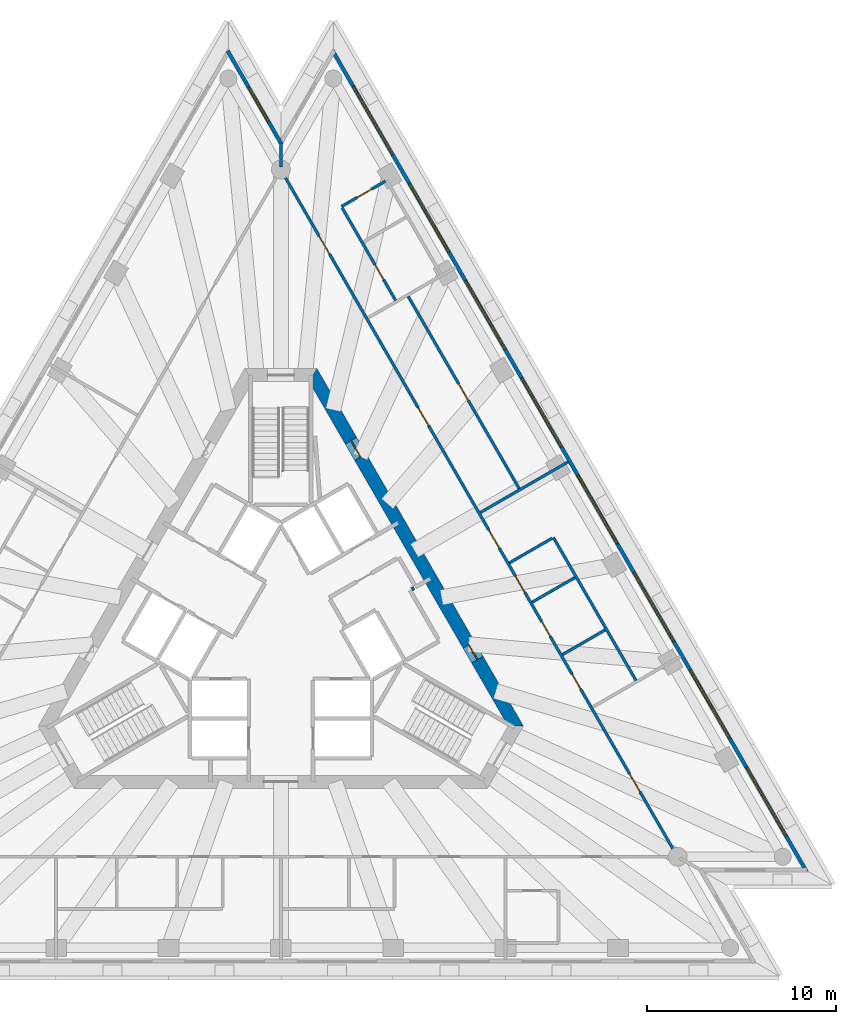
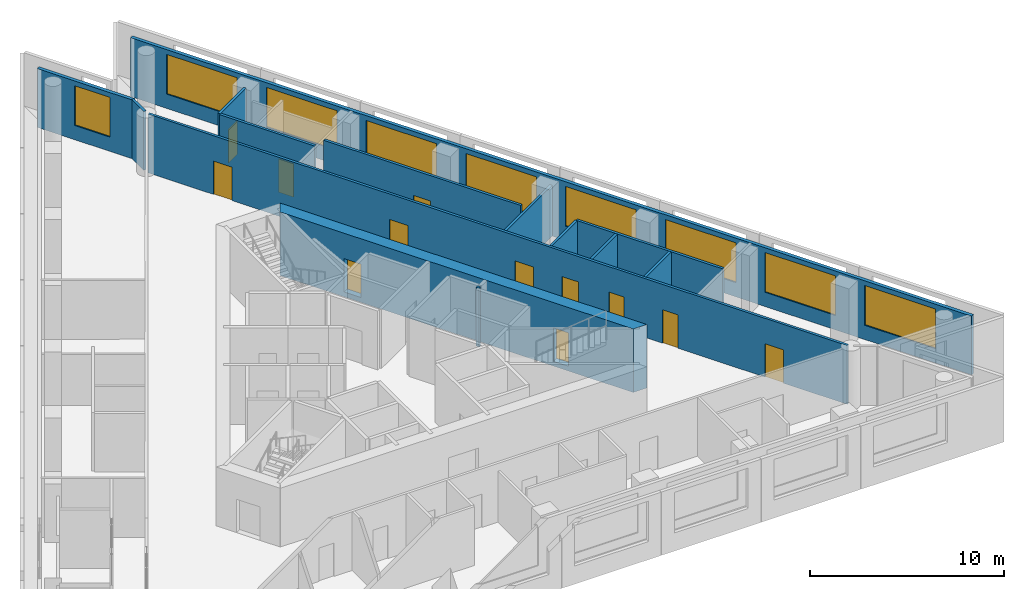
# One storey, part 6 of 9: 14 walls, 12 doors, 9 windows, 21 openings.
"""IFC4 building model written with IfcOpenShell, lengths in metres."""

from ifc_helpers import new_model, si_unit, direction, frame, frame_2d, origin, place, context, subcontext, project, spatial, polyline, rectangle, outline, extrude, material, layer, layer_set, layer_usage, type_object, element, fill, save


model = new_model("IFC4")

# Units and contexts
model_context = context("Model", 3, precision=1e-05, world=origin(), true_north=direction((0.0, 1.0)))
body_context = subcontext(model_context, "Body", "Model", "MODEL_VIEW")
ifc_project = project(units=[si_unit("LENGTHUNIT", "METRE"), si_unit("AREAUNIT", "SQUARE_METRE"), si_unit("VOLUMEUNIT", "CUBIC_METRE"), si_unit("PLANEANGLEUNIT", "RADIAN"), si_unit("MASSUNIT", "GRAM", prefix="KILO")], contexts=[model_context])

# Site, building, storey
site_placement = place(None, origin())
site = spatial("IfcSite", under=ifc_project, at=site_placement, CompositionType="ELEMENT")
building_placement = place(site_placement, origin())
building = spatial("IfcBuilding", under=site, at=building_placement, Name="Triada Interchange Tower", CompositionType="ELEMENT")
storey_placement = place(building_placement, frame((0.0, 0.0, 227.300048828125)))
storey = spatial("IfcBuildingStorey", under=building, at=storey_placement, Name="L53", CompositionType="ELEMENT", Elevation=227.300048828125)

# Wall
ifc_material_1 = material(Name="Concrete C30/37", Category="concrete")
ifc_layer_1 = layer(ifc_material_1, 0.199951171875)
ifc_layer_set_1 = layer_set([ifc_layer_1], Name="CORE WALL 200 EI 90")
wall_type_1 = type_object("IfcWallType", Name="CORE WALL 200 EI 90", PredefinedType="SOLIDWALL", material=ifc_layer_set_1)
wall_1_placement = place(storey_placement, frame((6.912109375, 2.028076171875, 0.0), z_axis=(0.0, 0.0, 1.0), x_axis=(0.866559367082, 0.499074005857, 0.0)))
element("IfcWall", 1, at=wall_1_placement, inside=storey, type_object=wall_type_1, Name="Wall L53 86", PredefinedType="SOLIDWALL", context=body_context, shape_type="SweptSolid", body=[
    extrude(rectangle(XDim=0.152099609375, YDim=0.199951171875, at=frame_2d((0.076171875, 0.0))), origin(), (0.0, 0.0, 1.0), 3.699951171875),
])

# Wall, openings, doors
ifc_material_2 = material(Name="Concrete C50/60", Category="concrete")
ifc_layer_2 = layer(ifc_material_2, 0.699951171875)
ifc_layer_set_2 = layer_set([ifc_layer_2], Name="Core wall C 700")
wall_type_2 = type_object("IfcWallType", Name="Core wall C 700", PredefinedType="SHEAR", material=ifc_layer_set_2)
wall_2_placement = place(storey_placement, frame((12.4130859375, -5.199951171875, -0.300048828125), z_axis=(0.0, 0.0, 1.0), x_axis=(-0.500011533395, 0.866018744874, 0.0)))
wall_2 = element("IfcWall", 2, at=wall_2_placement, inside=storey, type_object=wall_type_2, Name="Core wall WC06 L53", PredefinedType="SHEAR", context=body_context, shape_type="SweptSolid", body=[
    extrude(outline(polyline([(-0.201904296875, -0.35009765625), (1.781982421875, -0.35009765625), (3.76611328125, -0.35009765625), (5.75, -0.35009765625), (7.734130859375, -0.35009765625), (9.718017578125, -0.35009765625), (11.7021484375, -0.35009765625), (13.68603515625, -0.35009765625), (15.670166015625, -0.35009765625), (17.654052734375, -0.35009765625), (19.63818359375, -0.35009765625), (21.6220703125, -0.35009765625), (21.218017578125, 0.35009765625), (19.307373046875, 0.35009765625), (17.39697265625, 0.35009765625), (15.486328125, 0.35009765625), (13.57568359375, 0.35009765625), (11.665283203125, 0.35009765625), (9.754638671875, 0.35009765625), (7.84423828125, 0.35009765625), (5.93359375, 0.35009765625), (4.02294921875, 0.35009765625), (2.112548828125, 0.35009765625), (0.201904296875, 0.35009765625), (-0.201904296875, -0.35009765625)])), origin(), (0.0, 0.0, 1.0), 4.0),
])
opening_1_placement = place(wall_2_placement, frame((4.054931640625, 0.0, 0.300048828125)))
opening_1 = element("IfcOpeningElement", 3, at=opening_1_placement, cuts=wall_2, Name="Opening D53-45", PredefinedType="OPENING", context=body_context, shape_type="SweptSolid", body=[
    extrude(rectangle(XDim=0.89990234375, YDim=2.10009765625, at=frame_2d((0.449951171875, 1.050048828125))), frame((0.0, 0.360107421875, 0.0), z_axis=(0.0, -1.0, 0.0), x_axis=(1.0, 0.0, 0.0)), (0.0, 0.0, 1.0), 0.72021484375),
])
opening_2_placement = place(wall_2_placement, frame((16.4150390625, 0.0, 0.300048828125)))
opening_2 = element("IfcOpeningElement", 4, at=opening_2_placement, cuts=wall_2, Name="Opening D53-47", PredefinedType="OPENING", context=body_context, shape_type="SweptSolid", body=[
    extrude(rectangle(XDim=1.0, YDim=2.10009765625, at=frame_2d((0.5, 1.050048828125))), frame((0.0, 0.360107421875, 0.0), z_axis=(0.0, -1.0, 0.0), x_axis=(1.0, 0.0, 0.0)), (0.0, 0.0, 1.0), 0.72021484375),
])
ifc_material_3 = material(Name="Steel S235 door leaf", Category="steel")
door_type_1 = type_object("IfcDoorType", Name="SERVICE DOOR 1000 EI2 45-C5S200", OperationType="NOTDEFINED", PredefinedType="DOOR", material=ifc_material_3)
door_1_placement = place(opening_2_placement, origin())
door_1 = element("IfcDoor", 5, at=door_1_placement, inside=storey, type_object=door_type_1, Name="Door D53-47 L53", OperationType="SINGLE_SWING_RIGHT", OverallHeight=2.10009765625, OverallWidth=1.0, PredefinedType="DOOR", context=body_context, shape_type="SweptSolid", body=[
    extrude(rectangle(XDim=1.0, YDim=2.10009765625, at=frame_2d((0.5, 1.050048828125))), frame((0.0, 0.02490234375, 0.0), z_axis=(0.0, -1.0, 0.0), x_axis=(1.0, 0.0, 0.0)), (0.0, 0.0, 1.0), 0.050048828125),
])
fill(opening_2, door_1)
door_type_2 = type_object("IfcDoorType", Name="SERVICE DOOR 900 EI2 45-C5S200", OperationType="NOTDEFINED", PredefinedType="DOOR", material=ifc_material_3)
door_2_placement = place(opening_1_placement, origin())
door_2 = element("IfcDoor", 6, at=door_2_placement, inside=storey, type_object=door_type_2, Name="Door D53-45 L53", OperationType="SINGLE_SWING_RIGHT", OverallHeight=2.10009765625, OverallWidth=0.89990234375, PredefinedType="DOOR", context=body_context, shape_type="SweptSolid", body=[
    extrude(rectangle(XDim=0.89990234375, YDim=2.10009765625, at=frame_2d((0.449951171875, 1.050048828125))), frame((0.0, 0.02490234375, 0.0), z_axis=(0.0, -1.0, 0.0), x_axis=(1.0, 0.0, 0.0)), (0.0, 0.0, 1.0), 0.050048828125),
])
fill(opening_1, door_2)

# Wall, openings, windows
ifc_material_4 = material(Name="Cement board")
ifc_layer_3 = layer(ifc_material_4, 0.02001953125, Name="Cement board cladding")
ifc_material_5 = material(Name="Sheathing board")
ifc_layer_4 = layer(ifc_material_5, 0.014892578125, Name="Sheathing board")
ifc_material_6 = material(Name="Mineral wool")
ifc_layer_5 = layer(ifc_material_6, 0.14990234375, Name="Mineral wool between steel studs")
ifc_material_7 = material(Name="Gypsum board")
ifc_layer_6 = layer(ifc_material_7, 0.014892578125, Name="Plasterboard lining")
ifc_layer_set_3 = layer_set([ifc_layer_3, ifc_layer_4, ifc_layer_5, ifc_layer_6], Name="External wall 200")
ifc_layer_usage = layer_usage(ifc_layer_set_3, "AXIS2", "POSITIVE", -0.10009765625)
wall_type_3 = type_object("IfcWallType", Name="External wall 200", PredefinedType="ELEMENTEDWALL", material=ifc_layer_set_3)
wall_3_placement = place(storey_placement, frame((27.781982421875, -12.884033203125, 0.0), z_axis=(0.0, 0.0, 1.0), x_axis=(-0.500023345841, 0.866011924637, 0.0)))
wall_3 = element("IfcWall", 7, at=wall_3_placement, inside=storey, type_object=wall_type_3, material=ifc_layer_usage, Name="External wall L53 NE", PredefinedType="ELEMENTEDWALL", context=body_context, shape_type="SweptSolid", body=[
    extrude(rectangle(XDim=50.07763671875, YDim=0.199951171875, at=frame_2d((25.038818359375, 0.0))), origin(), (0.0, 0.0, 1.0), 3.699951171875),
])
opening_3_placement = place(wall_3_placement, frame((2.1708984375, 0.0, 0.89990234375)))
opening_3 = element("IfcOpeningElement", 8, at=opening_3_placement, cuts=wall_3, Name="Opening WC21", PredefinedType="OPENING", context=body_context, shape_type="SweptSolid", body=[
    extrude(rectangle(XDim=4.199951171875, YDim=2.5, at=frame_2d((2.10009765625, 1.25))), frame((0.0, 0.10986328125, 0.0), z_axis=(0.0, -1.0, 0.0), x_axis=(1.0, 0.0, 0.0)), (0.0, 0.0, 1.0), 0.219970703125),
])
opening_4_placement = place(wall_3_placement, frame((8.10791015625, 0.0, 0.89990234375)))
opening_4 = element("IfcOpeningElement", 9, at=opening_4_placement, cuts=wall_3, Name="Opening WC22", PredefinedType="OPENING", context=body_context, shape_type="SweptSolid", body=[
    extrude(rectangle(XDim=4.199951171875, YDim=2.5, at=frame_2d((2.10009765625, 1.25))), frame((0.0, 0.10986328125, 0.0), z_axis=(0.0, -1.0, 0.0), x_axis=(1.0, 0.0, 0.0)), (0.0, 0.0, 1.0), 0.219970703125),
])
opening_5_placement = place(wall_3_placement, frame((14.0439453125, 0.0, 0.89990234375)))
opening_5 = element("IfcOpeningElement", 10, at=opening_5_placement, cuts=wall_3, Name="Opening WC23", PredefinedType="OPENING", context=body_context, shape_type="SweptSolid", body=[
    extrude(rectangle(XDim=4.199951171875, YDim=2.5, at=frame_2d((2.10009765625, 1.25))), frame((0.0, 0.10986328125, 0.0), z_axis=(0.0, -1.0, 0.0), x_axis=(1.0, 0.0, 0.0)), (0.0, 0.0, 1.0), 0.219970703125),
])
opening_6_placement = place(wall_3_placement, frame((19.98095703125, 0.0, 0.89990234375)))
opening_6 = element("IfcOpeningElement", 11, at=opening_6_placement, cuts=wall_3, Name="Opening WC24", PredefinedType="OPENING", context=body_context, shape_type="SweptSolid", body=[
    extrude(rectangle(XDim=4.199951171875, YDim=2.5, at=frame_2d((2.10009765625, 1.25))), frame((0.0, 0.10986328125, 0.0), z_axis=(0.0, -1.0, 0.0), x_axis=(1.0, 0.0, 0.0)), (0.0, 0.0, 1.0), 0.219970703125),
])
opening_7_placement = place(wall_3_placement, frame((25.9169921875, 0.0, 0.89990234375)))
opening_7 = element("IfcOpeningElement", 12, at=opening_7_placement, cuts=wall_3, Name="Opening WC25", PredefinedType="OPENING", context=body_context, shape_type="SweptSolid", body=[
    extrude(rectangle(XDim=4.199951171875, YDim=2.5, at=frame_2d((2.10009765625, 1.25))), frame((0.0, 0.10986328125, 0.0), z_axis=(0.0, -1.0, 0.0), x_axis=(1.0, 0.0, 0.0)), (0.0, 0.0, 1.0), 0.219970703125),
])
opening_8_placement = place(wall_3_placement, frame((31.85400390625, 0.0, 0.89990234375)))
opening_8 = element("IfcOpeningElement", 13, at=opening_8_placement, cuts=wall_3, Name="Opening WC26", PredefinedType="OPENING", context=body_context, shape_type="SweptSolid", body=[
    extrude(rectangle(XDim=4.199951171875, YDim=2.5, at=frame_2d((2.10009765625, 1.25))), frame((0.0, 0.10986328125, 0.0), z_axis=(0.0, -1.0, 0.0), x_axis=(1.0, 0.0, 0.0)), (0.0, 0.0, 1.0), 0.219970703125),
])
opening_9_placement = place(wall_3_placement, frame((37.7900390625, 0.0, 0.89990234375)))
opening_9 = element("IfcOpeningElement", 14, at=opening_9_placement, cuts=wall_3, Name="Opening WC27", PredefinedType="OPENING", context=body_context, shape_type="SweptSolid", body=[
    extrude(rectangle(XDim=4.199951171875, YDim=2.5, at=frame_2d((2.10009765625, 1.25))), frame((0.0, 0.10986328125, 0.0), z_axis=(0.0, -1.0, 0.0), x_axis=(1.0, 0.0, 0.0)), (0.0, 0.0, 1.0), 0.219970703125),
])
opening_10_placement = place(wall_3_placement, frame((43.72705078125, 0.0, 0.89990234375)))
opening_10 = element("IfcOpeningElement", 15, at=opening_10_placement, cuts=wall_3, Name="Opening WC28", PredefinedType="OPENING", context=body_context, shape_type="SweptSolid", body=[
    extrude(rectangle(XDim=4.199951171875, YDim=2.5, at=frame_2d((2.10009765625, 1.25))), frame((0.0, 0.10986328125, 0.0), z_axis=(0.0, -1.0, 0.0), x_axis=(1.0, 0.0, 0.0)), (0.0, 0.0, 1.0), 0.219970703125),
])
ifc_material_8 = material(Name="Double glazed aluminium window", Category="aluminium")
window_type_1 = type_object("IfcWindowType", Name="Ribbon window C face", PartitioningType="SINGLE_PANEL", PredefinedType="WINDOW", material=ifc_material_8)
window_1_placement = place(opening_3_placement, origin())
window_1 = element("IfcWindow", 16, at=window_1_placement, inside=storey, type_object=window_type_1, Name="Window L53 NE 1", OverallHeight=2.5, OverallWidth=4.199951171875, PartitioningType="SINGLE_PANEL", PredefinedType="WINDOW", context=body_context, shape_type="SweptSolid", body=[
    extrude(rectangle(XDim=4.199951171875, YDim=2.5, at=frame_2d((2.10009765625, 1.25))), frame((0.0, 0.030029296875, 0.0), z_axis=(0.0, -1.0, 0.0), x_axis=(1.0, 0.0, 0.0)), (0.0, 0.0, 1.0), 0.06005859375),
])
fill(opening_3, window_1)
window_2_placement = place(opening_4_placement, origin())
window_2 = element("IfcWindow", 17, at=window_2_placement, inside=storey, type_object=window_type_1, Name="Window L53 NE 2", OverallHeight=2.5, OverallWidth=4.199951171875, PartitioningType="SINGLE_PANEL", PredefinedType="WINDOW", context=body_context, shape_type="SweptSolid", body=[
    extrude(rectangle(XDim=4.199951171875, YDim=2.5, at=frame_2d((2.10009765625, 1.25))), frame((0.0, 0.030029296875, 0.0), z_axis=(0.0, -1.0, 0.0), x_axis=(1.0, 0.0, 0.0)), (0.0, 0.0, 1.0), 0.06005859375),
])
fill(opening_4, window_2)
window_3_placement = place(opening_5_placement, origin())
window_3 = element("IfcWindow", 18, at=window_3_placement, inside=storey, type_object=window_type_1, Name="Window L53 NE 3", OverallHeight=2.5, OverallWidth=4.199951171875, PartitioningType="SINGLE_PANEL", PredefinedType="WINDOW", context=body_context, shape_type="SweptSolid", body=[
    extrude(rectangle(XDim=4.199951171875, YDim=2.5, at=frame_2d((2.10009765625, 1.25))), frame((0.0, 0.030029296875, 0.0), z_axis=(0.0, -1.0, 0.0), x_axis=(1.0, 0.0, 0.0)), (0.0, 0.0, 1.0), 0.06005859375),
])
fill(opening_5, window_3)
window_4_placement = place(opening_6_placement, origin())
window_4 = element("IfcWindow", 19, at=window_4_placement, inside=storey, type_object=window_type_1, Name="Window L53 NE 4", OverallHeight=2.5, OverallWidth=4.199951171875, PartitioningType="SINGLE_PANEL", PredefinedType="WINDOW", context=body_context, shape_type="SweptSolid", body=[
    extrude(rectangle(XDim=4.199951171875, YDim=2.5, at=frame_2d((2.10009765625, 1.25))), frame((0.0, 0.030029296875, 0.0), z_axis=(0.0, -1.0, 0.0), x_axis=(1.0, 0.0, 0.0)), (0.0, 0.0, 1.0), 0.06005859375),
])
fill(opening_6, window_4)
window_5_placement = place(opening_7_placement, origin())
window_5 = element("IfcWindow", 20, at=window_5_placement, inside=storey, type_object=window_type_1, Name="Window L53 NE 5", OverallHeight=2.5, OverallWidth=4.199951171875, PartitioningType="SINGLE_PANEL", PredefinedType="WINDOW", context=body_context, shape_type="SweptSolid", body=[
    extrude(rectangle(XDim=4.199951171875, YDim=2.5, at=frame_2d((2.10009765625, 1.25))), frame((0.0, 0.030029296875, 0.0), z_axis=(0.0, -1.0, 0.0), x_axis=(1.0, 0.0, 0.0)), (0.0, 0.0, 1.0), 0.06005859375),
])
fill(opening_7, window_5)
window_6_placement = place(opening_8_placement, origin())
window_6 = element("IfcWindow", 21, at=window_6_placement, inside=storey, type_object=window_type_1, Name="Window L53 NE 6", OverallHeight=2.5, OverallWidth=4.199951171875, PartitioningType="SINGLE_PANEL", PredefinedType="WINDOW", context=body_context, shape_type="SweptSolid", body=[
    extrude(rectangle(XDim=4.199951171875, YDim=2.5, at=frame_2d((2.10009765625, 1.25))), frame((0.0, 0.030029296875, 0.0), z_axis=(0.0, -1.0, 0.0), x_axis=(1.0, 0.0, 0.0)), (0.0, 0.0, 1.0), 0.06005859375),
])
fill(opening_8, window_6)
window_7_placement = place(opening_9_placement, origin())
window_7 = element("IfcWindow", 22, at=window_7_placement, inside=storey, type_object=window_type_1, Name="Window L53 NE 7", OverallHeight=2.5, OverallWidth=4.199951171875, PartitioningType="SINGLE_PANEL", PredefinedType="WINDOW", context=body_context, shape_type="SweptSolid", body=[
    extrude(rectangle(XDim=4.199951171875, YDim=2.5, at=frame_2d((2.10009765625, 1.25))), frame((0.0, 0.030029296875, 0.0), z_axis=(0.0, -1.0, 0.0), x_axis=(1.0, 0.0, 0.0)), (0.0, 0.0, 1.0), 0.06005859375),
])
fill(opening_9, window_7)
window_8_placement = place(opening_10_placement, origin())
window_8 = element("IfcWindow", 23, at=window_8_placement, inside=storey, type_object=window_type_1, Name="Window L53 NE 8", OverallHeight=2.5, OverallWidth=4.199951171875, PartitioningType="SINGLE_PANEL", PredefinedType="WINDOW", context=body_context, shape_type="SweptSolid", body=[
    extrude(rectangle(XDim=4.199951171875, YDim=2.5, at=frame_2d((2.10009765625, 1.25))), frame((0.0, 0.030029296875, 0.0), z_axis=(0.0, -1.0, 0.0), x_axis=(1.0, 0.0, 0.0)), (0.0, 0.0, 1.0), 0.06005859375),
])
fill(opening_10, window_8)

# Wall, opening, window
wall_4_placement = place(storey_placement, frame((0.044921875, 25.534912109375, 0.0), z_axis=(0.0, 0.0, 1.0), x_axis=(-0.49995298266, 0.866052547557, 0.0)))
wall_4 = element("IfcWall", 24, at=wall_4_placement, inside=storey, type_object=wall_type_3, material=ifc_layer_usage, Name="External wall L53 N-2", PredefinedType="ELEMENTEDWALL", context=body_context, shape_type="SweptSolid", body=[
    extrude(rectangle(XDim=5.71435546875, YDim=0.199951171875, at=frame_2d((2.857177734375, 0.0))), origin(), (0.0, 0.0, 1.0), 3.699951171875),
])
opening_11_placement = place(wall_4_placement, frame((1.389892578125, 0.0, 0.89990234375)))
opening_11 = element("IfcOpeningElement", 25, at=opening_11_placement, cuts=wall_4, Name="Opening WC30", PredefinedType="OPENING", context=body_context, shape_type="SweptSolid", body=[
    extrude(rectangle(XDim=2.10009765625, YDim=2.5, at=frame_2d((1.050048828125, 1.25))), frame((0.0, 0.10986328125, 0.0), z_axis=(0.0, -1.0, 0.0), x_axis=(1.0, 0.0, 0.0)), (0.0, 0.0, 1.0), 0.219970703125),
])
window_type_2 = type_object("IfcWindowType", Name="Ribbon window C pocket", PartitioningType="SINGLE_PANEL", PredefinedType="WINDOW", material=ifc_material_8)
window_9_placement = place(opening_11_placement, origin())
window_9 = element("IfcWindow", 26, at=window_9_placement, inside=storey, type_object=window_type_2, Name="Window L53 N-2 1", OverallHeight=2.5, OverallWidth=2.10009765625, PartitioningType="SINGLE_PANEL", PredefinedType="WINDOW", context=body_context, shape_type="SweptSolid", body=[
    extrude(rectangle(XDim=2.10009765625, YDim=2.5, at=frame_2d((1.050048828125, 1.25))), frame((0.0, 0.030029296875, 0.0), z_axis=(0.0, -1.0, 0.0), x_axis=(1.0, 0.0, 0.0)), (0.0, 0.0, 1.0), 0.06005859375),
])
fill(opening_11, window_9)

# Walls
ifc_material_9 = material(Name="Gypsum board partition")
ifc_layer_7 = layer(ifc_material_9, 0.14990234375)
ifc_layer_set_4 = layer_set([ifc_layer_7], Name="PARTITION 150 EI 180")
wall_type_4 = type_object("IfcWallType", Name="PARTITION 150 EI 180", PredefinedType="PARTITIONING", material=ifc_layer_set_4)
wall_5_placement = place(storey_placement, frame((10.5439453125, 6.0869140625, 0.0), z_axis=(0.0, 0.0, 1.0), x_axis=(0.866032438121, 0.499987815973, 0.0)))
element("IfcWall", 27, at=wall_5_placement, inside=storey, type_object=wall_type_4, Name="Wall L53 2", PredefinedType="PARTITIONING", context=body_context, shape_type="SweptSolid", body=[
    extrude(rectangle(XDim=5.362548828125, YDim=0.14990234375, at=frame_2d((2.68115234375, 0.0))), origin(), (0.0, 0.0, 1.0), 3.199951171875),
])
wall_6_placement = place(storey_placement, frame((0.0, 24.35009765625, 0.0), z_axis=(0.0, 0.0, 1.0), x_axis=(0.0, 1.0, 0.0)))
element("IfcWall", 28, at=wall_6_placement, inside=storey, type_object=wall_type_4, Name="Wall L53 19", PredefinedType="PARTITIONING", context=body_context, shape_type="SweptSolid", body=[
    extrude(rectangle(XDim=1.262939453125, YDim=0.14990234375, at=frame_2d((0.63134765625, 0.0))), origin(), (0.0, 0.0, 1.0), 3.699951171875),
])

# Wall, openings, doors
wall_7_placement = place(storey_placement, frame((0.074951171875, 24.070068359375, 0.0), z_axis=(0.0, 0.0, 1.0), x_axis=(0.49999939571, -0.866025752671, 0.0)))
wall_7 = element("IfcWall", 29, at=wall_7_placement, inside=storey, type_object=wall_type_4, Name="Wall L53 20", PredefinedType="PARTITIONING", context=body_context, shape_type="SweptSolid", body=[
    extrude(rectangle(XDim=41.6142578125, YDim=0.14990234375, at=frame_2d((20.80712890625, 0.0))), origin(), (0.0, 0.0, 1.0), 3.699951171875),
])
opening_12_placement = place(wall_7_placement, frame((36.714111328125, 0.0, 0.0)))
opening_12 = element("IfcOpeningElement", 30, at=opening_12_placement, cuts=wall_7, Name="Opening D53-21", PredefinedType="OPENING", context=body_context, shape_type="SweptSolid", body=[
    extrude(rectangle(XDim=1.10009765625, YDim=2.10009765625, at=frame_2d((0.550048828125, 1.050048828125))), frame((0.0, 0.0849609375, 0.0), z_axis=(0.0, -1.0, 0.0), x_axis=(1.0, 0.0, 0.0)), (0.0, 0.0, 1.0), 0.169921875),
])
opening_13_placement = place(wall_7_placement, frame((21.8310546875, 0.0, 0.0)))
opening_13 = element("IfcOpeningElement", 31, at=opening_13_placement, cuts=wall_7, Name="Opening D53-22", PredefinedType="OPENING", context=body_context, shape_type="SweptSolid", body=[
    extrude(rectangle(XDim=1.10009765625, YDim=2.10009765625, at=frame_2d((0.550048828125, 1.050048828125))), frame((0.0, 0.0849609375, 0.0), z_axis=(0.0, -1.0, 0.0), x_axis=(1.0, 0.0, 0.0)), (0.0, 0.0, 1.0), 0.169921875),
])
opening_14_placement = place(wall_7_placement, frame((30.631103515625, 0.0, 0.0)))
opening_14 = element("IfcOpeningElement", 32, at=opening_14_placement, cuts=wall_7, Name="Opening D53-23", PredefinedType="OPENING", context=body_context, shape_type="SweptSolid", body=[
    extrude(rectangle(XDim=0.89990234375, YDim=2.10009765625, at=frame_2d((0.449951171875, 1.050048828125))), frame((0.0, 0.0849609375, 0.0), z_axis=(0.0, -1.0, 0.0), x_axis=(1.0, 0.0, 0.0)), (0.0, 0.0, 1.0), 0.169921875),
])
opening_15_placement = place(wall_7_placement, frame((27.430908203125, 0.0, 0.0)))
opening_15 = element("IfcOpeningElement", 33, at=opening_15_placement, cuts=wall_7, Name="Opening D53-24", PredefinedType="OPENING", context=body_context, shape_type="SweptSolid", body=[
    extrude(rectangle(XDim=0.89990234375, YDim=2.10009765625, at=frame_2d((0.449951171875, 1.050048828125))), frame((0.0, 0.0849609375, 0.0), z_axis=(0.0, -1.0, 0.0), x_axis=(1.0, 0.0, 0.0)), (0.0, 0.0, 1.0), 0.169921875),
])
opening_16_placement = place(wall_7_placement, frame((24.631103515625, 0.0, 0.0)))
opening_16 = element("IfcOpeningElement", 34, at=opening_16_placement, cuts=wall_7, Name="Opening D53-25", PredefinedType="OPENING", context=body_context, shape_type="SweptSolid", body=[
    extrude(rectangle(XDim=1.0, YDim=2.10009765625, at=frame_2d((0.5, 1.050048828125))), frame((0.0, 0.0849609375, 0.0), z_axis=(0.0, -1.0, 0.0), x_axis=(1.0, 0.0, 0.0)), (0.0, 0.0, 1.0), 0.169921875),
])
opening_17_placement = place(wall_7_placement, frame((14.35791015625, 0.0, 0.0)))
opening_17 = element("IfcOpeningElement", 35, at=opening_17_placement, cuts=wall_7, Name="Opening D53-26", PredefinedType="OPENING", context=body_context, shape_type="SweptSolid", body=[
    extrude(rectangle(XDim=1.10009765625, YDim=2.10009765625, at=frame_2d((0.550048828125, 1.050048828125))), frame((0.0, 0.0849609375, 0.0), z_axis=(0.0, -1.0, 0.0), x_axis=(1.0, 0.0, 0.0)), (0.0, 0.0, 1.0), 0.169921875),
])
opening_18_placement = place(wall_7_placement, frame((3.885009765625, 0.0, 0.0)))
opening_18 = element("IfcOpeningElement", 36, at=opening_18_placement, cuts=wall_7, Name="Opening D53-28", PredefinedType="OPENING", context=body_context, shape_type="SweptSolid", body=[
    extrude(rectangle(XDim=1.10009765625, YDim=2.10009765625, at=frame_2d((0.550048828125, 1.050048828125))), frame((0.0, 0.0849609375, 0.0), z_axis=(0.0, -1.0, 0.0), x_axis=(1.0, 0.0, 0.0)), (0.0, 0.0, 1.0), 0.169921875),
])
door_type_3 = type_object("IfcDoorType", Name="ROOM DOOR 1000 EI2 90-C5S200", OperationType="NOTDEFINED", PredefinedType="DOOR", material=ifc_material_3)
door_3_placement = place(opening_16_placement, origin())
door_3 = element("IfcDoor", 37, at=door_3_placement, inside=storey, type_object=door_type_3, Name="Door D53-25 L53", OperationType="SINGLE_SWING_LEFT", OverallHeight=2.10009765625, OverallWidth=1.0, PredefinedType="DOOR", context=body_context, shape_type="SweptSolid", body=[
    extrude(rectangle(XDim=1.0, YDim=2.10009765625, at=frame_2d((0.5, 1.050048828125))), frame((0.0, 0.02490234375, 0.0), z_axis=(0.0, -1.0, 0.0), x_axis=(1.0, 0.0, 0.0)), (0.0, 0.0, 1.0), 0.050048828125),
])
fill(opening_16, door_3)
door_type_4 = type_object("IfcDoorType", Name="ROOM DOOR 900 EI2 90-C5S200", OperationType="NOTDEFINED", PredefinedType="DOOR", material=ifc_material_3)
door_4_placement = place(opening_14_placement, origin())
door_4 = element("IfcDoor", 38, at=door_4_placement, inside=storey, type_object=door_type_4, Name="Door D53-23 L53", OperationType="SINGLE_SWING_RIGHT", OverallHeight=2.10009765625, OverallWidth=0.89990234375, PredefinedType="DOOR", context=body_context, shape_type="SweptSolid", body=[
    extrude(rectangle(XDim=0.89990234375, YDim=2.10009765625, at=frame_2d((0.449951171875, 1.050048828125))), frame((0.0, 0.02490234375, 0.0), z_axis=(0.0, -1.0, 0.0), x_axis=(1.0, 0.0, 0.0)), (0.0, 0.0, 1.0), 0.050048828125),
])
fill(opening_14, door_4)
door_5_placement = place(opening_15_placement, origin())
door_5 = element("IfcDoor", 39, at=door_5_placement, inside=storey, type_object=door_type_4, Name="Door D53-24 L53", OperationType="SINGLE_SWING_RIGHT", OverallHeight=2.10009765625, OverallWidth=0.89990234375, PredefinedType="DOOR", context=body_context, shape_type="SweptSolid", body=[
    extrude(rectangle(XDim=0.89990234375, YDim=2.10009765625, at=frame_2d((0.449951171875, 1.050048828125))), frame((0.0, 0.02490234375, 0.0), z_axis=(0.0, -1.0, 0.0), x_axis=(1.0, 0.0, 0.0)), (0.0, 0.0, 1.0), 0.050048828125),
])
fill(opening_15, door_5)
door_type_5 = type_object("IfcDoorType", Name="TENANCY ENTRANCE DOOR 1100 EI2 90-C5S200", OperationType="NOTDEFINED", PredefinedType="DOOR", material=ifc_material_3)
door_6_placement = place(opening_12_placement, origin())
door_6 = element("IfcDoor", 40, at=door_6_placement, inside=storey, type_object=door_type_5, Name="Door D53-21 L53", OperationType="SINGLE_SWING_RIGHT", OverallHeight=2.10009765625, OverallWidth=1.10009765625, PredefinedType="DOOR", context=body_context, shape_type="SweptSolid", body=[
    extrude(rectangle(XDim=1.10009765625, YDim=2.10009765625, at=frame_2d((0.550048828125, 1.050048828125))), frame((0.0, 0.02490234375, 0.0), z_axis=(0.0, -1.0, 0.0), x_axis=(1.0, 0.0, 0.0)), (0.0, 0.0, 1.0), 0.050048828125),
])
fill(opening_12, door_6)
door_7_placement = place(opening_13_placement, origin())
door_7 = element("IfcDoor", 41, at=door_7_placement, inside=storey, type_object=door_type_5, Name="Door D53-22 L53", OperationType="SINGLE_SWING_LEFT", OverallHeight=2.10009765625, OverallWidth=1.10009765625, PredefinedType="DOOR", context=body_context, shape_type="SweptSolid", body=[
    extrude(rectangle(XDim=1.10009765625, YDim=2.10009765625, at=frame_2d((0.550048828125, 1.050048828125))), frame((0.0, 0.02490234375, 0.0), z_axis=(0.0, -1.0, 0.0), x_axis=(1.0, 0.0, 0.0)), (0.0, 0.0, 1.0), 0.050048828125),
])
fill(opening_13, door_7)
door_8_placement = place(opening_17_placement, origin())
door_8 = element("IfcDoor", 42, at=door_8_placement, inside=storey, type_object=door_type_5, Name="Door D53-26 L53", OperationType="SINGLE_SWING_LEFT", OverallHeight=2.10009765625, OverallWidth=1.10009765625, PredefinedType="DOOR", context=body_context, shape_type="SweptSolid", body=[
    extrude(rectangle(XDim=1.10009765625, YDim=2.10009765625, at=frame_2d((0.550048828125, 1.050048828125))), frame((0.0, 0.02490234375, 0.0), z_axis=(0.0, -1.0, 0.0), x_axis=(1.0, 0.0, 0.0)), (0.0, 0.0, 1.0), 0.050048828125),
])
fill(opening_17, door_8)
door_9_placement = place(opening_18_placement, origin())
door_9 = element("IfcDoor", 43, at=door_9_placement, inside=storey, type_object=door_type_5, Name="Door D53-28 L53", OperationType="SINGLE_SWING_LEFT", OverallHeight=2.10009765625, OverallWidth=1.10009765625, PredefinedType="DOOR", context=body_context, shape_type="SweptSolid", body=[
    extrude(rectangle(XDim=1.10009765625, YDim=2.10009765625, at=frame_2d((0.550048828125, 1.050048828125))), frame((0.0, 0.02490234375, 0.0), z_axis=(0.0, -1.0, 0.0), x_axis=(1.0, 0.0, 0.0)), (0.0, 0.0, 1.0), 0.050048828125),
])
fill(opening_18, door_9)

# Walls
wall_8_placement = place(storey_placement, frame((14.404052734375, 4.76806640625, 0.0), z_axis=(0.0, 0.0, 1.0), x_axis=(0.500042162787, -0.86600105972, 0.0)))
element("IfcWall", 44, at=wall_8_placement, inside=storey, type_object=wall_type_4, Name="Wall L53 25", PredefinedType="PARTITIONING", context=body_context, shape_type="SweptSolid", body=[
    extrude(rectangle(XDim=8.725341796875, YDim=0.14990234375, at=frame_2d((4.36279296875, 0.0))), origin(), (0.0, 0.0, 1.0), 3.699951171875),
])
for number, where, z_axis, x_axis, name in (
    (45, (12.080078125, 3.426025390625, 0.0), (0.0, 0.0, 1.0), (0.8660749285, 0.499914210863, 0.0), "Wall L53 26"),
    (46, (13.280029296875, 1.347900390625, 0.0), (0.0, 0.0, 1.0), (0.866034402474, 0.499984413489, 0.0), "Wall L53 27"),
):
    element("IfcWall", number, at=place(storey_placement, frame(where, z_axis=z_axis, x_axis=x_axis)), inside=storey, type_object=wall_type_4, Name=name, PredefinedType="PARTITIONING", context=body_context, shape_type="SweptSolid", body=[
        extrude(rectangle(XDim=2.6083984375, YDim=0.14990234375, at=frame_2d((1.30419921875, 0.0))), origin(), (0.0, 0.0, 1.0), 3.699951171875),
    ])
wall_9_placement = place(storey_placement, frame((14.8798828125, -1.424072265625, 0.0), z_axis=(0.0, 0.0, 1.0), x_axis=(0.865872279416, 0.500265125447, 0.0)))
element("IfcWall", 47, at=wall_9_placement, inside=storey, type_object=wall_type_4, Name="Wall L53 28", PredefinedType="PARTITIONING", context=body_context, shape_type="SweptSolid", body=[
    extrude(rectangle(XDim=2.60888671875, YDim=0.14990234375, at=frame_2d((1.304443359375, 0.0))), origin(), (0.0, 0.0, 1.0), 3.699951171875),
])

# Wall, opening, door
ifc_layer_8 = layer(ifc_material_9, 0.14990234375)
ifc_layer_set_5 = layer_set([ifc_layer_8], Name="PARTITION 150 EI 90")
wall_type_5 = type_object("IfcWallType", Name="PARTITION 150 EI 90", PredefinedType="PARTITIONING", material=ifc_layer_set_5)
wall_10_placement = place(storey_placement, frame((3.200927734375, 22.2548828125, 0.0), z_axis=(0.0, 0.0, 1.0), x_axis=(0.865978018799, 0.500082064223, 0.0)))
wall_10 = element("IfcWall", 48, at=wall_10_placement, inside=storey, type_object=wall_type_5, Name="Wall L53 36", PredefinedType="PARTITIONING", context=body_context, shape_type="SweptSolid", body=[
    extrude(rectangle(XDim=2.68359375, YDim=0.14990234375, at=frame_2d((1.341796875, 0.0))), origin(), (0.0, 0.0, 1.0), 3.699951171875),
])
opening_19_placement = place(wall_10_placement, frame((0.949951171875, 0.0, 0.0)))
opening_19 = element("IfcOpeningElement", 49, at=opening_19_placement, cuts=wall_10, Name="Opening D53-30", PredefinedType="OPENING", context=body_context, shape_type="SweptSolid", body=[
    extrude(rectangle(XDim=0.89990234375, YDim=2.10009765625, at=frame_2d((0.449951171875, 1.050048828125))), frame((0.0, 0.0849609375, 0.0), z_axis=(0.0, -1.0, 0.0), x_axis=(1.0, 0.0, 0.0)), (0.0, 0.0, 1.0), 0.169921875),
])
door_10_placement = place(opening_19_placement, origin())
door_10 = element("IfcDoor", 50, at=door_10_placement, inside=storey, type_object=door_type_2, Name="Door D53-30 L53", OperationType="SINGLE_SWING_LEFT", OverallHeight=2.10009765625, OverallWidth=0.89990234375, PredefinedType="DOOR", context=body_context, shape_type="SweptSolid", body=[
    extrude(rectangle(XDim=0.89990234375, YDim=2.10009765625, at=frame_2d((0.449951171875, 1.050048828125))), frame((0.0, 0.02490234375, 0.0), z_axis=(0.0, -1.0, 0.0), x_axis=(1.0, 0.0, 0.0)), (0.0, 0.0, 1.0), 0.050048828125),
])
fill(opening_19, door_10)

wall_11_placement = place(storey_placement, frame((3.239013671875, 22.18994140625, 0.0), z_axis=(0.0, 0.0, 1.0), x_axis=(0.500010476433, -0.866019355129, 0.0)))
wall_11 = element("IfcWall", 51, at=wall_11_placement, inside=storey, type_object=wall_type_5, Name="Wall L53 37", PredefinedType="PARTITIONING", context=body_context, shape_type="SweptSolid", body=[
    extrude(rectangle(XDim=5.64990234375, YDim=0.14990234375, at=frame_2d((2.824951171875, 0.0))), origin(), (0.0, 0.0, 1.0), 3.699951171875),
])
opening_20_placement = place(wall_11_placement, frame((3.47412109375, 0.0, 0.0)))
opening_20 = element("IfcOpeningElement", 52, at=opening_20_placement, cuts=wall_11, Name="Opening D53-29", PredefinedType="OPENING", context=body_context, shape_type="SweptSolid", body=[
    extrude(rectangle(XDim=0.89990234375, YDim=2.10009765625, at=frame_2d((0.449951171875, 1.050048828125))), frame((0.0, 0.0849609375, 0.0), z_axis=(0.0, -1.0, 0.0), x_axis=(1.0, 0.0, 0.0)), (0.0, 0.0, 1.0), 0.169921875),
])
door_type_6 = type_object("IfcDoorType", Name="ROOM DOOR 900 EI2 45-C5S200", OperationType="NOTDEFINED", PredefinedType="DOOR", material=ifc_material_3)
door_11_placement = place(opening_20_placement, origin())
door_11 = element("IfcDoor", 53, at=door_11_placement, inside=storey, type_object=door_type_6, Name="Door D53-29 L53", OperationType="SINGLE_SWING_RIGHT", OverallHeight=2.10009765625, OverallWidth=0.89990234375, PredefinedType="DOOR", context=body_context, shape_type="SweptSolid", body=[
    extrude(rectangle(XDim=0.89990234375, YDim=2.10009765625, at=frame_2d((0.449951171875, 1.050048828125))), frame((0.0, 0.02490234375, 0.0), z_axis=(0.0, -1.0, 0.0), x_axis=(1.0, 0.0, 0.0)), (0.0, 0.0, 1.0), 0.050048828125),
])
fill(opening_20, door_11)

wall_12_placement = place(storey_placement, frame((6.72998046875, 17.509033203125, 0.0), z_axis=(0.0, 0.0, 1.0), x_axis=(0.500011469263, -0.866018781901, 0.0)))
wall_12 = element("IfcWall", 54, at=wall_12_placement, inside=storey, type_object=wall_type_5, Name="Wall L53 38", PredefinedType="PARTITIONING", context=body_context, shape_type="SweptSolid", body=[
    extrude(rectangle(XDim=11.723876953125, YDim=0.14990234375, at=frame_2d((5.86181640625, 0.0))), origin(), (0.0, 0.0, 1.0), 3.699951171875),
])
opening_21_placement = place(wall_12_placement, frame((5.34912109375, 0.0, 0.0)))
opening_21 = element("IfcOpeningElement", 55, at=opening_21_placement, cuts=wall_12, Name="Opening D53-27", PredefinedType="OPENING", context=body_context, shape_type="SweptSolid", body=[
    extrude(rectangle(XDim=1.0, YDim=2.10009765625, at=frame_2d((0.5, 1.050048828125))), frame((0.0, 0.0849609375, 0.0), z_axis=(0.0, -1.0, 0.0), x_axis=(1.0, 0.0, 0.0)), (0.0, 0.0, 1.0), 0.169921875),
])
door_type_7 = type_object("IfcDoorType", Name="ROOM DOOR 1000 EI2 45-C5S200", OperationType="NOTDEFINED", PredefinedType="DOOR", material=ifc_material_3)
door_12_placement = place(opening_21_placement, origin())
door_12 = element("IfcDoor", 56, at=door_12_placement, inside=storey, type_object=door_type_7, Name="Door D53-27 L53", OperationType="SINGLE_SWING_RIGHT", OverallHeight=2.10009765625, OverallWidth=1.0, PredefinedType="DOOR", context=body_context, shape_type="SweptSolid", body=[
    extrude(rectangle(XDim=1.0, YDim=2.10009765625, at=frame_2d((0.5, 1.050048828125))), frame((0.0, 0.02490234375, 0.0), z_axis=(0.0, -1.0, 0.0), x_axis=(1.0, 0.0, 0.0)), (0.0, 0.0, 1.0), 0.050048828125),
])
fill(opening_21, door_12)

save(model, "model.ifc")
